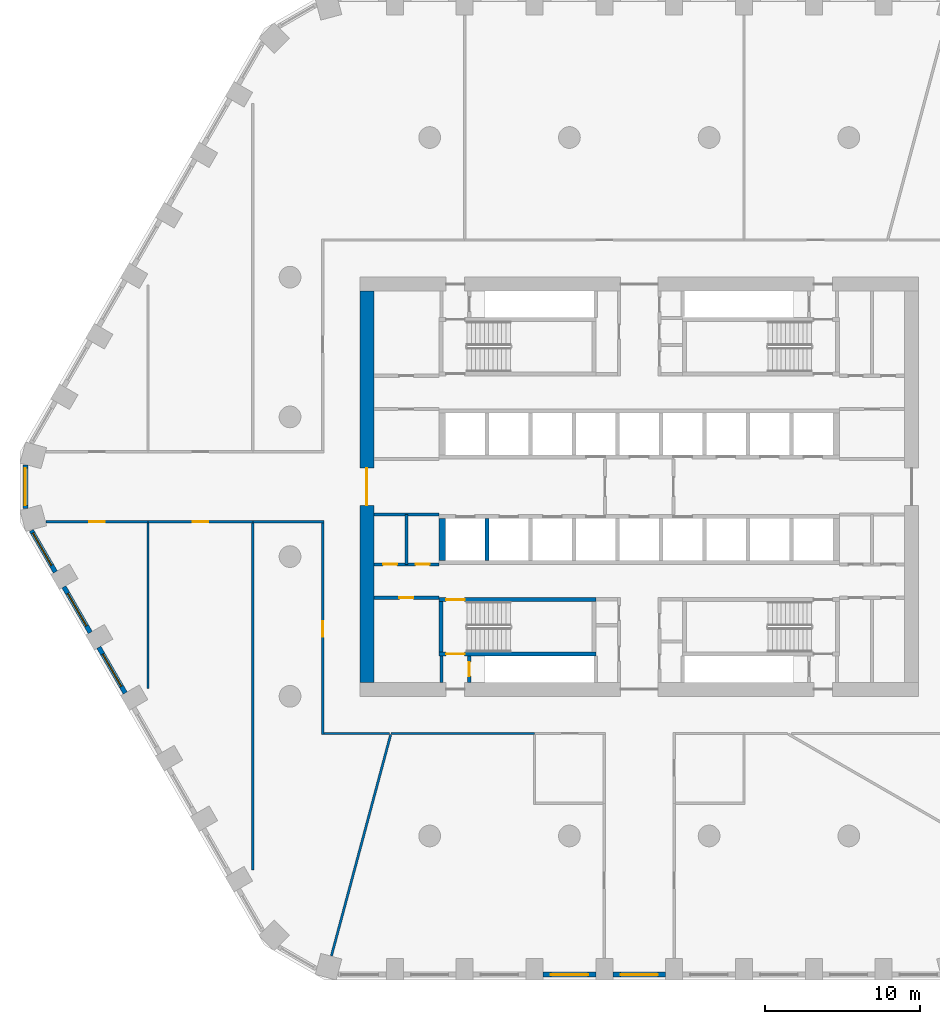
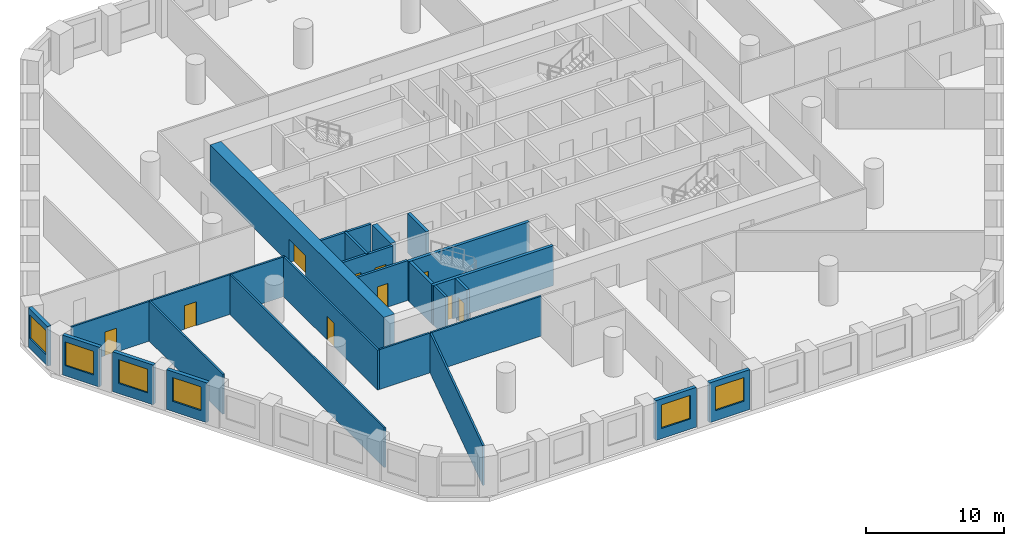
# One storey, part 2 of 10: 27 walls, 10 doors, 6 windows, 16 openings.
"""IFC4 building model written with IfcOpenShell, lengths in metres."""

from ifc_helpers import new_model, si_unit, direction, frame, frame_2d, origin, place, context, subcontext, project, spatial, polyline, rectangle, outline, extrude, material, layer, layer_set, type_object, element, fill, save


model = new_model("IFC4")

# Units and contexts
model_context = context("Model", 3, precision=1e-05, world=origin(), true_north=direction((0.0, 1.0)))
body_context = subcontext(model_context, "Body", "Model", "MODEL_VIEW")
ifc_project = project(units=[si_unit("LENGTHUNIT", "METRE"), si_unit("AREAUNIT", "SQUARE_METRE"), si_unit("VOLUMEUNIT", "CUBIC_METRE"), si_unit("PLANEANGLEUNIT", "RADIAN"), si_unit("MASSUNIT", "GRAM", prefix="KILO")], contexts=[model_context])

# Site, building, storey
site_placement = place(None, origin())
site = spatial("IfcSite", under=ifc_project, at=site_placement, CompositionType="ELEMENT")
building_placement = place(site_placement, origin())
building = spatial("IfcBuilding", under=site, at=building_placement, Name="Dhurran Vertical Campus", CompositionType="ELEMENT")
storey_placement = place(building_placement, frame((0.0, 0.0, 65.10009765625)))
storey = spatial("IfcBuildingStorey", under=building, at=storey_placement, Name="L15", CompositionType="ELEMENT", Elevation=65.10009765625)

# Wall, opening, window
ifc_material_1 = material(Name="Precast concrete C50/60", Category="concrete")
ifc_layer_1 = layer(ifc_material_1, 0.300048828125)
ifc_layer_set_1 = layer_set([ifc_layer_1], Name="Precast concrete C50/60")
wall_type_1 = type_object("IfcWallType", Name="Precast spandrel wall 300", PredefinedType="SOLIDWALL", material=ifc_layer_set_1)
wall_1_placement = place(storey_placement, frame((-6.199462890625, -31.4296875, 0.0), z_axis=(0.0, 0.0, 1.0), x_axis=(1.0, 0.0, 0.0)))
wall_1 = element("IfcWall", 1, at=wall_1_placement, inside=storey, type_object=wall_type_1, Name="EW1 L15.03", PredefinedType="SOLIDWALL", context=body_context, shape_type="SweptSolid", body=[
    extrude(rectangle(XDim=3.39892578125, YDim=0.300048828125, at=frame_2d((1.699462890625, 0.0))), origin(), (0.0, 0.0, 1.0), 3.52490234375),
])
opening_1_placement = place(wall_1_placement, frame((0.49951171875, 0.0, 0.89990234375)))
opening_1 = element("IfcOpeningElement", 2, at=opening_1_placement, cuts=wall_1, Name="Opening WT1", PredefinedType="OPENING", context=body_context, shape_type="SweptSolid", body=[
    extrude(rectangle(XDim=2.39990234375, YDim=2.10009765625, at=frame_2d((1.199951171875, 1.050048828125))), frame((0.0, 0.159912109375, 0.0), z_axis=(0.0, -1.0, 0.0), x_axis=(1.0, 0.0, 0.0)), (0.0, 0.0, 1.0), 0.320068359375),
])
ifc_material_2 = material(Name="Aluminium frame with solar-control glass", Category="aluminium")
window_type = type_object("IfcWindowType", Name="Punched window 2400 x 2100", PartitioningType="SINGLE_PANEL", PredefinedType="WINDOW", material=ifc_material_2)
window_1_placement = place(opening_1_placement, origin())
window_1 = element("IfcWindow", 3, at=window_1_placement, inside=storey, type_object=window_type, Name="WT1 L15.03", OverallHeight=2.10009765625, OverallWidth=2.39990234375, PartitioningType="SINGLE_PANEL", PredefinedType="WINDOW", context=body_context, shape_type="SweptSolid", body=[
    extrude(rectangle(XDim=2.39990234375, YDim=2.10009765625, at=frame_2d((1.199951171875, 1.050048828125))), frame((0.0, 0.030029296875, 0.0), z_axis=(0.0, -1.0, 0.0), x_axis=(1.0, 0.0, 0.0)), (0.0, 0.0, 1.0), 0.06005859375),
])
fill(opening_1, window_1)

wall_2_placement = place(storey_placement, frame((-1.699462890625, -31.4296875, 0.0), z_axis=(0.0, 0.0, 1.0), x_axis=(1.0, 0.0, 0.0)))
wall_2 = element("IfcWall", 4, at=wall_2_placement, inside=storey, type_object=wall_type_1, Name="EW1 L15.04", PredefinedType="SOLIDWALL", context=body_context, shape_type="SweptSolid", body=[
    extrude(rectangle(XDim=3.39892578125, YDim=0.300048828125, at=frame_2d((1.699462890625, 0.0))), origin(), (0.0, 0.0, 1.0), 3.52490234375),
])
opening_2_placement = place(wall_2_placement, frame((0.49951171875, 0.0, 0.89990234375)))
opening_2 = element("IfcOpeningElement", 5, at=opening_2_placement, cuts=wall_2, Name="Opening WT1", PredefinedType="OPENING", context=body_context, shape_type="SweptSolid", body=[
    extrude(rectangle(XDim=2.39990234375, YDim=2.10009765625, at=frame_2d((1.199951171875, 1.050048828125))), frame((0.0, 0.159912109375, 0.0), z_axis=(0.0, -1.0, 0.0), x_axis=(1.0, 0.0, 0.0)), (0.0, 0.0, 1.0), 0.320068359375),
])
window_2_placement = place(opening_2_placement, origin())
window_2 = element("IfcWindow", 6, at=window_2_placement, inside=storey, type_object=window_type, Name="WT1 L15.04", OverallHeight=2.10009765625, OverallWidth=2.39990234375, PartitioningType="SINGLE_PANEL", PredefinedType="WINDOW", context=body_context, shape_type="SweptSolid", body=[
    extrude(rectangle(XDim=2.39990234375, YDim=2.10009765625, at=frame_2d((1.199951171875, 1.050048828125))), frame((0.0, 0.030029296875, 0.0), z_axis=(0.0, -1.0, 0.0), x_axis=(1.0, 0.0, 0.0)), (0.0, 0.0, 1.0), 0.06005859375),
])
fill(opening_2, window_2)

wall_3_placement = place(storey_placement, frame((-39.547119140625, 1.39111328125, 0.0), z_axis=(0.0, 0.0, 1.0), x_axis=(0.0, -1.0, 0.0)))
wall_3 = element("IfcWall", 7, at=wall_3_placement, inside=storey, type_object=wall_type_1, Name="EW1 L15.43", PredefinedType="SOLIDWALL", context=body_context, shape_type="SweptSolid", body=[
    extrude(rectangle(XDim=2.7822265625, YDim=0.300048828125, at=frame_2d((1.39111328125, 0.0))), origin(), (0.0, 0.0, 1.0), 3.52490234375),
])
opening_3_placement = place(wall_3_placement, frame((0.191162109375, 0.0, 0.89990234375)))
opening_3 = element("IfcOpeningElement", 8, at=opening_3_placement, cuts=wall_3, Name="Opening WT1", PredefinedType="OPENING", context=body_context, shape_type="SweptSolid", body=[
    extrude(rectangle(XDim=2.39990234375, YDim=2.10009765625, at=frame_2d((1.199951171875, 1.050048828125))), frame((0.0, 0.159912109375, 0.0), z_axis=(0.0, -1.0, 0.0), x_axis=(1.0, 0.0, 0.0)), (0.0, 0.0, 1.0), 0.320068359375),
])
window_3_placement = place(opening_3_placement, origin())
window_3 = element("IfcWindow", 9, at=window_3_placement, inside=storey, type_object=window_type, Name="WT1 L15.43", OverallHeight=2.10009765625, OverallWidth=2.39990234375, PartitioningType="SINGLE_PANEL", PredefinedType="WINDOW", context=body_context, shape_type="SweptSolid", body=[
    extrude(rectangle(XDim=2.39990234375, YDim=2.10009765625, at=frame_2d((1.199951171875, 1.050048828125))), frame((0.0, 0.030029296875, 0.0), z_axis=(0.0, -1.0, 0.0), x_axis=(1.0, 0.0, 0.0)), (0.0, 0.0, 1.0), 0.06005859375),
])
fill(opening_3, window_3)

wall_4_placement = place(storey_placement, frame((-39.16455078125, -2.81884765625, 0.0), z_axis=(0.0, 0.0, 1.0), x_axis=(0.49997090907, -0.866042198789, 0.0)))
wall_4 = element("IfcWall", 10, at=wall_4_placement, inside=storey, type_object=wall_type_1, Name="EW1 L15.44", PredefinedType="SOLIDWALL", context=body_context, shape_type="SweptSolid", body=[
    extrude(rectangle(XDim=3.090576171875, YDim=0.300048828125, at=frame_2d((1.54541015625, 0.0))), origin(), (0.0, 0.0, 1.0), 3.52490234375),
])
opening_4_placement = place(wall_4_placement, frame((0.19091796875, 0.0, 0.89990234375)))
opening_4 = element("IfcOpeningElement", 11, at=opening_4_placement, cuts=wall_4, Name="Opening WT1", PredefinedType="OPENING", context=body_context, shape_type="SweptSolid", body=[
    extrude(rectangle(XDim=2.39990234375, YDim=2.10009765625, at=frame_2d((1.199951171875, 1.050048828125))), frame((0.0, 0.159912109375, 0.0), z_axis=(0.0, -1.0, 0.0), x_axis=(1.0, 0.0, 0.0)), (0.0, 0.0, 1.0), 0.320068359375),
])
window_4_placement = place(opening_4_placement, origin())
window_4 = element("IfcWindow", 12, at=window_4_placement, inside=storey, type_object=window_type, Name="WT1 L15.44", OverallHeight=2.10009765625, OverallWidth=2.39990234375, PartitioningType="SINGLE_PANEL", PredefinedType="WINDOW", context=body_context, shape_type="SweptSolid", body=[
    extrude(rectangle(XDim=2.39990234375, YDim=2.10009765625, at=frame_2d((1.199951171875, 1.050048828125))), frame((0.0, 0.030029296875, 0.0), z_axis=(0.0, -1.0, 0.0), x_axis=(1.0, 0.0, 0.0)), (0.0, 0.0, 1.0), 0.06005859375),
])
fill(opening_4, window_4)

wall_5_placement = place(storey_placement, frame((-37.06884765625, -6.448974609375, 0.0), z_axis=(0.0, 0.0, 1.0), x_axis=(0.499993955907, -0.866028893315, 0.0)))
wall_5 = element("IfcWall", 13, at=wall_5_placement, inside=storey, type_object=wall_type_1, Name="EW1 L15.45", PredefinedType="SOLIDWALL", context=body_context, shape_type="SweptSolid", body=[
    extrude(rectangle(XDim=3.39892578125, YDim=0.300048828125, at=frame_2d((1.699462890625, 0.0))), origin(), (0.0, 0.0, 1.0), 3.52490234375),
])
opening_5_placement = place(wall_5_placement, frame((0.49951171875, 0.0, 0.89990234375)))
opening_5 = element("IfcOpeningElement", 14, at=opening_5_placement, cuts=wall_5, Name="Opening WT1", PredefinedType="OPENING", context=body_context, shape_type="SweptSolid", body=[
    extrude(rectangle(XDim=2.39990234375, YDim=2.10009765625, at=frame_2d((1.199951171875, 1.050048828125))), frame((0.0, 0.159912109375, 0.0), z_axis=(0.0, -1.0, 0.0), x_axis=(1.0, 0.0, 0.0)), (0.0, 0.0, 1.0), 0.320068359375),
])
window_5_placement = place(opening_5_placement, origin())
window_5 = element("IfcWindow", 15, at=window_5_placement, inside=storey, type_object=window_type, Name="WT1 L15.45", OverallHeight=2.10009765625, OverallWidth=2.39990234375, PartitioningType="SINGLE_PANEL", PredefinedType="WINDOW", context=body_context, shape_type="SweptSolid", body=[
    extrude(rectangle(XDim=2.39990234375, YDim=2.10009765625, at=frame_2d((1.199951171875, 1.050048828125))), frame((0.0, 0.030029296875, 0.0), z_axis=(0.0, -1.0, 0.0), x_axis=(1.0, 0.0, 0.0)), (0.0, 0.0, 1.0), 0.06005859375),
])
fill(opening_5, window_5)

wall_6_placement = place(storey_placement, frame((-34.81884765625, -10.345947265625, 0.0), z_axis=(0.0, 0.0, 1.0), x_axis=(0.499993955907, -0.866028893315, 0.0)))
wall_6 = element("IfcWall", 16, at=wall_6_placement, inside=storey, type_object=wall_type_1, Name="EW1 L15.46", PredefinedType="SOLIDWALL", context=body_context, shape_type="SweptSolid", body=[
    extrude(rectangle(XDim=3.39892578125, YDim=0.300048828125, at=frame_2d((1.699462890625, 0.0))), origin(), (0.0, 0.0, 1.0), 3.52490234375),
])
opening_6_placement = place(wall_6_placement, frame((0.49951171875, 0.0, 0.89990234375)))
opening_6 = element("IfcOpeningElement", 17, at=opening_6_placement, cuts=wall_6, Name="Opening WT1", PredefinedType="OPENING", context=body_context, shape_type="SweptSolid", body=[
    extrude(rectangle(XDim=2.39990234375, YDim=2.10009765625, at=frame_2d((1.199951171875, 1.050048828125))), frame((0.0, 0.159912109375, 0.0), z_axis=(0.0, -1.0, 0.0), x_axis=(1.0, 0.0, 0.0)), (0.0, 0.0, 1.0), 0.320068359375),
])
window_6_placement = place(opening_6_placement, origin())
window_6 = element("IfcWindow", 18, at=window_6_placement, inside=storey, type_object=window_type, Name="WT1 L15.46", OverallHeight=2.10009765625, OverallWidth=2.39990234375, PartitioningType="SINGLE_PANEL", PredefinedType="WINDOW", context=body_context, shape_type="SweptSolid", body=[
    extrude(rectangle(XDim=2.39990234375, YDim=2.10009765625, at=frame_2d((1.199951171875, 1.050048828125))), frame((0.0, 0.030029296875, 0.0), z_axis=(0.0, -1.0, 0.0), x_axis=(1.0, 0.0, 0.0)), (0.0, 0.0, 1.0), 0.06005859375),
])
fill(opening_6, window_6)

# Wall, opening, door
ifc_material_3 = material(Name="Concrete C60/75", Category="concrete")
ifc_layer_2 = layer(ifc_material_3, 0.89990234375)
ifc_layer_set_2 = layer_set([ifc_layer_2], Name="Concrete C60/75")
wall_type_2 = type_object("IfcWallType", Name="co-CORE-WALL-C0-900", PredefinedType="SHEAR", material=ifc_layer_set_2)
wall_7_placement = place(storey_placement, frame((-17.550048828125, -12.60009765625, 0.0), z_axis=(0.0, 0.0, 1.0), x_axis=(0.0, 1.0, 0.0)))
wall_7 = element("IfcWall", 19, at=wall_7_placement, inside=storey, type_object=wall_type_2, Name="Core wall W L15", PredefinedType="SHEAR", context=body_context, shape_type="SweptSolid", body=[
    extrude(rectangle(XDim=25.2001953125, YDim=0.89990234375, at=frame_2d((12.60009765625, 0.0))), origin(), (0.0, 0.0, 1.0), 3.52490234375),
])
opening_7_placement = place(wall_7_placement, frame((11.39990234375, 0.0, 0.0)))
opening_7 = element("IfcOpeningElement", 20, at=opening_7_placement, cuts=wall_7, Name="Opening CL1", PredefinedType="OPENING", context=body_context, shape_type="SweptSolid", body=[
    extrude(rectangle(XDim=2.39990234375, YDim=2.10009765625, at=frame_2d((1.199951171875, 1.050048828125))), frame((0.0, 0.4599609375, 0.0), z_axis=(0.0, -1.0, 0.0), x_axis=(1.0, 0.0, 0.0)), (0.0, 0.0, 1.0), 0.919921875),
])
ifc_material_4 = material(Name="Fire-rated glazed door set")
door_type_1 = type_object("IfcDoorType", Name="co-D-LOBBY 2400x2100", OperationType="DOUBLE_DOOR_DOUBLE_SWING", PredefinedType="DOOR", material=ifc_material_4)
door_1_placement = place(opening_7_placement, origin())
door_1 = element("IfcDoor", 21, at=door_1_placement, inside=storey, type_object=door_type_1, Name="Lift lobby door W L15", OperationType="DOUBLE_DOOR_DOUBLE_SWING", OverallHeight=2.10009765625, OverallWidth=2.39990234375, PredefinedType="DOOR", context=body_context, shape_type="SweptSolid", body=[
    extrude(rectangle(XDim=2.39990234375, YDim=2.10009765625, at=frame_2d((1.199951171875, 1.050048828125))), frame((0.0, 0.02490234375, 0.0), z_axis=(0.0, -1.0, 0.0), x_axis=(1.0, 0.0, 0.0)), (0.0, 0.0, 1.0), 0.050048828125),
])
fill(opening_7, door_1)

# Wall
ifc_material_5 = material(Name="Fire-rated masonry blockwork", Category="masonry")
ifc_layer_3 = layer(ifc_material_5, 0.199951171875)
ifc_layer_set_3 = layer_set([ifc_layer_3], Name="Fire-rated masonry blockwork")
wall_type_3 = type_object("IfcWallType", Name="co-FIRE-PARTITION-200", PredefinedType="PARTITIONING", material=ifc_layer_set_3)
wall_8_placement = place(storey_placement, frame((-12.75, -12.60009765625, 0.0), z_axis=(0.0, 0.0, 1.0), x_axis=(0.0, 1.0, 0.0)))
element("IfcWall", 22, at=wall_8_placement, inside=storey, type_object=wall_type_3, Name="Core partition pass-ST3-o L15", PredefinedType="PARTITIONING", context=body_context, shape_type="SweptSolid", body=[
    extrude(rectangle(XDim=1.7001953125, YDim=0.199951171875, at=frame_2d((0.85009765625, 0.0))), origin(), (0.0, 0.0, 1.0), 3.52490234375),
])

# Wall, opening, door
wall_9_placement = place(storey_placement, frame((-10.949951171875, -12.60009765625, 0.0), z_axis=(0.0, 0.0, 1.0), x_axis=(0.0, 1.0, 0.0)))
wall_9 = element("IfcWall", 23, at=wall_9_placement, inside=storey, type_object=wall_type_3, Name="Core partition pass-ST3-i L15", PredefinedType="PARTITIONING", context=body_context, shape_type="SweptSolid", body=[
    extrude(rectangle(XDim=1.7001953125, YDim=0.199951171875, at=frame_2d((0.85009765625, 0.0))), origin(), (0.0, 0.0, 1.0), 3.52490234375),
])
opening_8_placement = place(wall_9_placement, frame((0.39990234375, 0.0, 0.0)))
opening_8 = element("IfcOpeningElement", 24, at=opening_8_placement, cuts=wall_9, Name="Opening T04-C11", PredefinedType="OPENING", context=body_context, shape_type="SweptSolid", body=[
    extrude(rectangle(XDim=0.89990234375, YDim=2.10009765625, at=frame_2d((0.449951171875, 1.050048828125))), frame((0.0, 0.10986328125, 0.0), z_axis=(0.0, -1.0, 0.0), x_axis=(1.0, 0.0, 0.0)), (0.0, 0.0, 1.0), 0.219970703125),
])
ifc_material_6 = material(Name="Fire-rated timber door set", Category="wood")
door_type_2 = type_object("IfcDoorType", Name="co-D-ROOM 900x2100", OperationType="SINGLE_SWING_LEFT", PredefinedType="DOOR", material=ifc_material_6)
door_2_placement = place(opening_8_placement, origin())
door_2 = element("IfcDoor", 25, at=door_2_placement, inside=storey, type_object=door_type_2, Name="Riser room door L15", OperationType="SINGLE_SWING_LEFT", OverallHeight=2.10009765625, OverallWidth=0.89990234375, PredefinedType="DOOR", context=body_context, shape_type="SweptSolid", body=[
    extrude(rectangle(XDim=0.89990234375, YDim=2.10009765625, at=frame_2d((0.449951171875, 1.050048828125))), frame((0.0, 0.02490234375, 0.0), z_axis=(0.0, -1.0, 0.0), x_axis=(1.0, 0.0, 0.0)), (0.0, 0.0, 1.0), 0.050048828125),
])
fill(opening_8, door_2)

wall_10_placement = place(storey_placement, frame((-17.10009765625, -7.14990234375, 0.0), z_axis=(0.0, 0.0, 1.0), x_axis=(1.0, 0.0, 0.0)))
wall_10 = element("IfcWall", 26, at=wall_10_placement, inside=storey, type_object=wall_type_3, Name="Core partition en-SW-w L15", PredefinedType="PARTITIONING", context=body_context, shape_type="SweptSolid", body=[
    extrude(rectangle(XDim=4.2001953125, YDim=0.199951171875, at=frame_2d((2.10009765625, 0.0))), origin(), (0.0, 0.0, 1.0), 3.52490234375),
])
opening_9_placement = place(wall_10_placement, frame((1.64990234375, 0.0, 0.0)))
opening_9 = element("IfcOpeningElement", 27, at=opening_9_placement, cuts=wall_10, Name="Opening T04-C18", PredefinedType="OPENING", context=body_context, shape_type="SweptSolid", body=[
    extrude(rectangle(XDim=0.89990234375, YDim=2.10009765625, at=frame_2d((0.449951171875, 1.050048828125))), frame((0.0, 0.10986328125, 0.0), z_axis=(0.0, -1.0, 0.0), x_axis=(1.0, 0.0, 0.0)), (0.0, 0.0, 1.0), 0.219970703125),
])
door_3_placement = place(opening_9_placement, origin())
door_3 = element("IfcDoor", 28, at=door_3_placement, inside=storey, type_object=door_type_2, Name="Cleaner's store door L15", OperationType="SINGLE_SWING_LEFT", OverallHeight=2.10009765625, OverallWidth=0.89990234375, PredefinedType="DOOR", context=body_context, shape_type="SweptSolid", body=[
    extrude(rectangle(XDim=0.89990234375, YDim=2.10009765625, at=frame_2d((0.449951171875, 1.050048828125))), frame((0.0, 0.02490234375, 0.0), z_axis=(0.0, -1.0, 0.0), x_axis=(1.0, 0.0, 0.0)), (0.0, 0.0, 1.0), 0.050048828125),
])
fill(opening_9, door_3)

# Wall
wall_11_placement = place(storey_placement, frame((-15.0, -5.0, 0.0), z_axis=(0.0, 0.0, 1.0), x_axis=(0.0, 1.0, 0.0)))
element("IfcWall", 29, at=wall_11_placement, inside=storey, type_object=wall_type_3, Name="Core partition es-SW-cut0 L15", PredefinedType="PARTITIONING", context=body_context, shape_type="SweptSolid", body=[
    extrude(rectangle(XDim=3.199951171875, YDim=0.199951171875, at=frame_2d((1.60009765625, 0.0))), origin(), (0.0, 0.0, 1.0), 3.52490234375),
])

# Wall, openings, doors
wall_12_placement = place(storey_placement, frame((-17.10009765625, -5.0, 0.0), z_axis=(0.0, 0.0, 1.0), x_axis=(1.0, 0.0, 0.0)))
wall_12 = element("IfcWall", 30, at=wall_12_placement, inside=storey, type_object=wall_type_3, Name="Core partition es-SW-w L15", PredefinedType="PARTITIONING", context=body_context, shape_type="SweptSolid", body=[
    extrude(rectangle(XDim=4.2001953125, YDim=0.199951171875, at=frame_2d((2.10009765625, 0.0))), origin(), (0.0, 0.0, 1.0), 3.52490234375),
])
opening_10_placement = place(wall_12_placement, frame((0.60009765625, 0.0, 0.0)))
opening_10 = element("IfcOpeningElement", 31, at=opening_10_placement, cuts=wall_12, Name="Opening T04-C19", PredefinedType="OPENING", context=body_context, shape_type="SweptSolid", body=[
    extrude(rectangle(XDim=0.89990234375, YDim=2.10009765625, at=frame_2d((0.449951171875, 1.050048828125))), frame((0.0, 0.10986328125, 0.0), z_axis=(0.0, -1.0, 0.0), x_axis=(1.0, 0.0, 0.0)), (0.0, 0.0, 1.0), 0.219970703125),
])
opening_11_placement = place(wall_12_placement, frame((2.699951171875, 0.0, 0.0)))
opening_11 = element("IfcOpeningElement", 32, at=opening_11_placement, cuts=wall_12, Name="Opening T04-C20", PredefinedType="OPENING", context=body_context, shape_type="SweptSolid", body=[
    extrude(rectangle(XDim=0.89990234375, YDim=2.10009765625, at=frame_2d((0.449951171875, 1.050048828125))), frame((0.0, 0.10986328125, 0.0), z_axis=(0.0, -1.0, 0.0), x_axis=(1.0, 0.0, 0.0)), (0.0, 0.0, 1.0), 0.219970703125),
])
door_4_placement = place(opening_10_placement, origin())
door_4 = element("IfcDoor", 33, at=door_4_placement, inside=storey, type_object=door_type_2, Name="Pantry door L15", OperationType="SINGLE_SWING_LEFT", OverallHeight=2.10009765625, OverallWidth=0.89990234375, PredefinedType="DOOR", context=body_context, shape_type="SweptSolid", body=[
    extrude(rectangle(XDim=0.89990234375, YDim=2.10009765625, at=frame_2d((0.449951171875, 1.050048828125))), frame((0.0, 0.02490234375, 0.0), z_axis=(0.0, -1.0, 0.0), x_axis=(1.0, 0.0, 0.0)), (0.0, 0.0, 1.0), 0.050048828125),
])
fill(opening_10, door_4)
door_5_placement = place(opening_11_placement, origin())
door_5 = element("IfcDoor", 34, at=door_5_placement, inside=storey, type_object=door_type_2, Name="Water riser door L15", OperationType="SINGLE_SWING_LEFT", OverallHeight=2.10009765625, OverallWidth=0.89990234375, PredefinedType="DOOR", context=body_context, shape_type="SweptSolid", body=[
    extrude(rectangle(XDim=0.89990234375, YDim=2.10009765625, at=frame_2d((0.449951171875, 1.050048828125))), frame((0.0, 0.02490234375, 0.0), z_axis=(0.0, -1.0, 0.0), x_axis=(1.0, 0.0, 0.0)), (0.0, 0.0, 1.0), 0.050048828125),
])
fill(opening_11, door_5)

# Walls
wall_13_placement = place(storey_placement, frame((-17.10009765625, -1.800048828125, 0.0), z_axis=(0.0, 0.0, 1.0), x_axis=(1.0, 0.0, 0.0)))
element("IfcWall", 35, at=wall_13_placement, inside=storey, type_object=wall_type_3, Name="Core partition es-SW-l L15", PredefinedType="PARTITIONING", context=body_context, shape_type="SweptSolid", body=[
    extrude(rectangle(XDim=4.2001953125, YDim=0.199951171875, at=frame_2d((2.10009765625, 0.0))), origin(), (0.0, 0.0, 1.0), 3.52490234375),
])
ifc_material_7 = material(Name="Concrete C50/60", Category="concrete")
ifc_layer_4 = layer(ifc_material_7, 0.25)
ifc_layer_set_4 = layer_set([ifc_layer_4], Name="Concrete C50/60")
wall_type_4 = type_object("IfcWallType", Name="co-SHAFT-MASS-250", PredefinedType="SHEAR", material=ifc_layer_set_4)
wall_14_placement = place(storey_placement, origin())
element("IfcWall", 36, at=wall_14_placement, inside=storey, type_object=wall_type_4, Name="Lift shaft wall S L15 2", PredefinedType="SHEAR", context=body_context, shape_type="SweptSolid", body=[
    extrude(outline(polyline([(-12.89990234375, -4.75), (-12.47509765625, -4.75), (-12.47509765625, -2.050048828125), (-12.89990234375, -2.050048828125), (-12.89990234375, -4.75)])), origin(), (0.0, 0.0, 1.0), 3.52490234375),
])
wall_15_placement = place(storey_placement, origin())
element("IfcWall", 37, at=wall_15_placement, inside=storey, type_object=wall_type_4, Name="Lift shaft wall S L15 3", PredefinedType="SHEAR", context=body_context, shape_type="SweptSolid", body=[
    extrude(outline(polyline([(-9.925048828125, -4.75), (-9.675048828125, -4.75), (-9.675048828125, -2.050048828125), (-9.925048828125, -2.050048828125), (-9.925048828125, -4.75)])), origin(), (0.0, 0.0, 1.0), 3.52490234375),
])

# Wall, opening, door
ifc_material_8 = material(Name="Concrete C40/50", Category="concrete")
ifc_layer_5 = layer(ifc_material_8, 0.25)
ifc_layer_set_5 = layer_set([ifc_layer_5], Name="Concrete C40/50")
wall_type_5 = type_object("IfcWallType", Name="co-STAIR-WALL-250", PredefinedType="SHEAR", material=ifc_layer_set_5)
wall_16_placement = place(storey_placement, frame((-12.89990234375, -10.77490234375, 0.0), z_axis=(0.0, 0.0, 1.0), x_axis=(1.0, 0.0, 0.0)))
wall_16 = element("IfcWall", 38, at=wall_16_placement, inside=storey, type_object=wall_type_5, Name="Stair ST3 enclosure wall L15", PredefinedType="SHEAR", context=body_context, shape_type="SweptSolid", body=[
    extrude(rectangle(XDim=10.099853515625, YDim=0.25, at=frame_2d((5.0498046875, 0.0))), origin(), (0.0, 0.0, 1.0), 3.52490234375),
])
opening_12_placement = place(wall_16_placement, frame((0.449951171875, 0.0, 0.0)))
opening_12 = element("IfcOpeningElement", 39, at=opening_12_placement, cuts=wall_16, Name="Opening XS3", PredefinedType="OPENING", context=body_context, shape_type="SweptSolid", body=[
    extrude(rectangle(XDim=1.199951171875, YDim=2.10009765625, at=frame_2d((0.60009765625, 1.050048828125))), frame((0.0, 0.135009765625, 0.0), z_axis=(0.0, -1.0, 0.0), x_axis=(1.0, 0.0, 0.0)), (0.0, 0.0, 1.0), 0.27001953125),
])
ifc_material_9 = material(Name="Fire-rated steel door set", Category="steel")
door_type_3 = type_object("IfcDoorType", Name="co-D-STAIR-EXIT 1200x2100", OperationType="SINGLE_SWING_RIGHT", PredefinedType="DOOR", material=ifc_material_9)
door_6_placement = place(opening_12_placement, origin())
door_6 = element("IfcDoor", 40, at=door_6_placement, inside=storey, type_object=door_type_3, Name="Stair ST3 discharge door L15", OperationType="SINGLE_SWING_RIGHT", OverallHeight=2.10009765625, OverallWidth=1.199951171875, PredefinedType="DOOR", context=body_context, shape_type="SweptSolid", body=[
    extrude(rectangle(XDim=1.199951171875, YDim=2.10009765625, at=frame_2d((0.60009765625, 1.050048828125))), frame((0.0, 0.02490234375, 0.0), z_axis=(0.0, -1.0, 0.0), x_axis=(1.0, 0.0, 0.0)), (0.0, 0.0, 1.0), 0.050048828125),
])
fill(opening_12, door_6)

wall_17_placement = place(storey_placement, frame((-12.89990234375, -7.27490234375, 0.0), z_axis=(0.0, 0.0, 1.0), x_axis=(1.0, 0.0, 0.0)))
wall_17 = element("IfcWall", 41, at=wall_17_placement, inside=storey, type_object=wall_type_5, Name="Stair ST3 enclosure wall L15", PredefinedType="SHEAR", context=body_context, shape_type="SweptSolid", body=[
    extrude(rectangle(XDim=10.099853515625, YDim=0.25, at=frame_2d((5.0498046875, 0.0))), origin(), (0.0, 0.0, 1.0), 3.52490234375),
])
opening_13_placement = place(wall_17_placement, frame((0.449951171875, 0.0, 0.0)))
opening_13 = element("IfcOpeningElement", 42, at=opening_13_placement, cuts=wall_17, Name="Opening SD3", PredefinedType="OPENING", context=body_context, shape_type="SweptSolid", body=[
    extrude(rectangle(XDim=1.199951171875, YDim=2.10009765625, at=frame_2d((0.60009765625, 1.050048828125))), frame((0.0, 0.135009765625, 0.0), z_axis=(0.0, -1.0, 0.0), x_axis=(1.0, 0.0, 0.0)), (0.0, 0.0, 1.0), 0.27001953125),
])
ifc_material_10 = material(Name="Fire-rated steel door set", Category="steel")
door_type_4 = type_object("IfcDoorType", Name="co-D-STAIR 1200x2100", OperationType="SINGLE_SWING_LEFT", PredefinedType="DOOR", material=ifc_material_10)
door_7_placement = place(opening_13_placement, origin())
door_7 = element("IfcDoor", 43, at=door_7_placement, inside=storey, type_object=door_type_4, Name="Stair ST3 door L15", OperationType="SINGLE_SWING_LEFT", OverallHeight=2.10009765625, OverallWidth=1.199951171875, PredefinedType="DOOR", context=body_context, shape_type="SweptSolid", body=[
    extrude(rectangle(XDim=1.199951171875, YDim=2.10009765625, at=frame_2d((0.60009765625, 1.050048828125))), frame((0.0, 0.02490234375, 0.0), z_axis=(0.0, -1.0, 0.0), x_axis=(1.0, 0.0, 0.0)), (0.0, 0.0, 1.0), 0.050048828125),
])
fill(opening_13, door_7)

# Wall
wall_18_placement = place(storey_placement, frame((-12.77490234375, -10.64990234375, 0.0), z_axis=(0.0, 0.0, 1.0), x_axis=(0.0, 1.0, 0.0)))
element("IfcWall", 44, at=wall_18_placement, inside=storey, type_object=wall_type_5, Name="Stair ST3 enclosure wall L15", PredefinedType="SHEAR", context=body_context, shape_type="SweptSolid", body=[
    extrude(rectangle(XDim=3.25, YDim=0.25, at=frame_2d((1.625, 0.0))), origin(), (0.0, 0.0, 1.0), 3.52490234375),
])

# Wall, opening, door
ifc_material_11 = material(Name="Gypsum board corridor wall on steel studs", Category="steel")
ifc_layer_6 = layer(ifc_material_11, 0.14990234375)
ifc_layer_set_6 = layer_set([ifc_layer_6], Name="Gypsum board corridor wall on steel studs")
wall_type_6 = type_object("IfcWallType", Name="fl-CW-150 corridor wall", PredefinedType="PARTITIONING", material=ifc_layer_set_6)
wall_19_placement = place(storey_placement, frame((-31.64990234375, -2.25, 0.0), z_axis=(0.0, 0.0, 1.0), x_axis=(-1.0, 0.0, 0.0)))
wall_19 = element("IfcWall", 45, at=wall_19_placement, inside=storey, type_object=wall_type_6, Name="Partition 15-01", PredefinedType="PARTITIONING", context=body_context, shape_type="SweptSolid", body=[
    extrude(rectangle(XDim=6.5830078125, YDim=0.14990234375, at=frame_2d((3.29150390625, 0.0))), origin(), (0.0, 0.0, 1.0), 3.52490234375),
])
opening_14_placement = place(wall_19_placement, frame((2.79150390625, 0.0, 0.0)))
opening_14 = element("IfcOpeningElement", 46, at=opening_14_placement, cuts=wall_19, Name="Opening T04.01", PredefinedType="OPENING", context=body_context, shape_type="SweptSolid", body=[
    extrude(rectangle(XDim=1.0, YDim=2.10009765625, at=frame_2d((0.5, 1.050048828125))), frame((0.0, 0.0849609375, 0.0), z_axis=(0.0, -1.0, 0.0), x_axis=(1.0, 0.0, 0.0)), (0.0, 0.0, 1.0), 0.169921875),
])
ifc_material_12 = material(Name="Solid-core timber door set, fire-rated", Category="wood")
door_type_5 = type_object("IfcDoorType", Name="fl-D-1000x2100", OperationType="SINGLE_SWING_LEFT", PredefinedType="DOOR", material=ifc_material_12)
door_8_placement = place(opening_14_placement, origin())
door_8 = element("IfcDoor", 47, at=door_8_placement, inside=storey, type_object=door_type_5, Name="Door 15.01", OperationType="SINGLE_SWING_LEFT", OverallHeight=2.10009765625, OverallWidth=1.0, PredefinedType="DOOR", context=body_context, shape_type="SweptSolid", body=[
    extrude(rectangle(XDim=1.0, YDim=2.10009765625, at=frame_2d((0.5, 1.050048828125))), frame((0.0, 0.02490234375, 0.0), z_axis=(0.0, -1.0, 0.0), x_axis=(1.0, 0.0, 0.0)), (0.0, 0.0, 1.0), 0.050048828125),
])
fill(opening_14, door_8)

wall_20_placement = place(storey_placement, frame((-24.89990234375, -2.25, 0.0), z_axis=(0.0, 0.0, 1.0), x_axis=(-1.0, 0.0, 0.0)))
wall_20 = element("IfcWall", 48, at=wall_20_placement, inside=storey, type_object=wall_type_6, Name="Partition 15-04", PredefinedType="PARTITIONING", context=body_context, shape_type="SweptSolid", body=[
    extrude(rectangle(XDim=6.75, YDim=0.14990234375, at=frame_2d((3.375, 0.0))), origin(), (0.0, 0.0, 1.0), 3.52490234375),
])
opening_15_placement = place(wall_20_placement, frame((2.875, 0.0, 0.0)))
opening_15 = element("IfcOpeningElement", 49, at=opening_15_placement, cuts=wall_20, Name="Opening T04.03", PredefinedType="OPENING", context=body_context, shape_type="SweptSolid", body=[
    extrude(rectangle(XDim=1.0, YDim=2.10009765625, at=frame_2d((0.5, 1.050048828125))), frame((0.0, 0.0849609375, 0.0), z_axis=(0.0, -1.0, 0.0), x_axis=(1.0, 0.0, 0.0)), (0.0, 0.0, 1.0), 0.169921875),
])
door_9_placement = place(opening_15_placement, origin())
door_9 = element("IfcDoor", 50, at=door_9_placement, inside=storey, type_object=door_type_5, Name="Door 15.03", OperationType="SINGLE_SWING_LEFT", OverallHeight=2.10009765625, OverallWidth=1.0, PredefinedType="DOOR", context=body_context, shape_type="SweptSolid", body=[
    extrude(rectangle(XDim=1.0, YDim=2.10009765625, at=frame_2d((0.5, 1.050048828125))), frame((0.0, 0.02490234375, 0.0), z_axis=(0.0, -1.0, 0.0), x_axis=(1.0, 0.0, 0.0)), (0.0, 0.0, 1.0), 0.050048828125),
])
fill(opening_15, door_9)

# Wall
wall_21_placement = place(storey_placement, frame((-20.324951171875, -2.25, 0.0), z_axis=(0.0, 0.0, 1.0), x_axis=(-1.0, 0.0, 0.0)))
element("IfcWall", 51, at=wall_21_placement, inside=storey, type_object=wall_type_6, Name="Partition 15-08", PredefinedType="PARTITIONING", context=body_context, shape_type="SweptSolid", body=[
    extrude(rectangle(XDim=4.574951171875, YDim=0.14990234375, at=frame_2d((2.28759765625, 0.0))), origin(), (0.0, 0.0, 1.0), 3.52490234375),
])

# Wall, opening, door
wall_22_placement = place(storey_placement, frame((-20.39990234375, -2.324951171875, 0.0), z_axis=(0.0, 0.0, 1.0), x_axis=(0.0, -1.0, 0.0)))
wall_22 = element("IfcWall", 52, at=wall_22_placement, inside=storey, type_object=wall_type_6, Name="Partition 15-11", PredefinedType="PARTITIONING", context=body_context, shape_type="SweptSolid", body=[
    extrude(rectangle(XDim=13.650146484375, YDim=0.14990234375, at=frame_2d((6.8251953125, 0.0))), origin(), (0.0, 0.0, 1.0), 3.52490234375),
])
opening_16_placement = place(wall_22_placement, frame((6.324951171875, 0.0, 0.0)))
opening_16 = element("IfcOpeningElement", 53, at=opening_16_placement, cuts=wall_22, Name="Opening T04.05", PredefinedType="OPENING", context=body_context, shape_type="SweptSolid", body=[
    extrude(rectangle(XDim=1.0, YDim=2.10009765625, at=frame_2d((0.5, 1.050048828125))), frame((0.0, 0.0849609375, 0.0), z_axis=(0.0, -1.0, 0.0), x_axis=(1.0, 0.0, 0.0)), (0.0, 0.0, 1.0), 0.169921875),
])
door_10_placement = place(opening_16_placement, origin())
door_10 = element("IfcDoor", 54, at=door_10_placement, inside=storey, type_object=door_type_5, Name="Door 15.05", OperationType="SINGLE_SWING_RIGHT", OverallHeight=2.10009765625, OverallWidth=1.0, PredefinedType="DOOR", context=body_context, shape_type="SweptSolid", body=[
    extrude(rectangle(XDim=1.0, YDim=2.10009765625, at=frame_2d((0.5, 1.050048828125))), frame((0.0, 0.02490234375, 0.0), z_axis=(0.0, -1.0, 0.0), x_axis=(1.0, 0.0, 0.0)), (0.0, 0.0, 1.0), 0.050048828125),
])
fill(opening_16, door_10)

# Walls
wall_23_placement = place(storey_placement, frame((-20.324951171875, -15.89990234375, 0.0), z_axis=(0.0, 0.0, 1.0), x_axis=(1.0, 0.0, 0.0)))
element("IfcWall", 55, at=wall_23_placement, inside=storey, type_object=wall_type_6, Name="Partition 15-12", PredefinedType="PARTITIONING", context=body_context, shape_type="SweptSolid", body=[
    extrude(rectangle(XDim=4.23486328125, YDim=0.14990234375, at=frame_2d((2.117431640625, 0.0))), origin(), (0.0, 0.0, 1.0), 3.52490234375),
])
wall_24_placement = place(storey_placement, frame((-15.9951171875, -15.89990234375, 0.0), z_axis=(0.0, 0.0, 1.0), x_axis=(1.0, 0.0, 0.0)))
element("IfcWall", 56, at=wall_24_placement, inside=storey, type_object=wall_type_6, Name="Partition 15-16", PredefinedType="PARTITIONING", context=body_context, shape_type="SweptSolid", body=[
    extrude(rectangle(XDim=9.2451171875, YDim=0.14990234375, at=frame_2d((4.62255859375, 0.0))), origin(), (0.0, 0.0, 1.0), 3.52490234375),
])
ifc_material_13 = material(Name="Gypsum board partition on steel studs", Category="steel")
ifc_layer_7 = layer(ifc_material_13, 0.14990234375)
ifc_layer_set_7 = layer_set([ifc_layer_7], Name="Gypsum board partition on steel studs")
wall_type_7 = type_object("IfcWallType", Name="fl-PW-150 fixed partition", PredefinedType="PARTITIONING", material=ifc_layer_set_7)
wall_25_placement = place(storey_placement, frame((-31.64990234375, -2.324951171875, 0.0), z_axis=(0.0, 0.0, 1.0), x_axis=(0.0, -1.0, 0.0)))
element("IfcWall", 57, at=wall_25_placement, inside=storey, type_object=wall_type_7, Name="Partition 15-03", PredefinedType="PARTITIONING", context=body_context, shape_type="SweptSolid", body=[
    extrude(rectangle(XDim=10.677001953125, YDim=0.14990234375, at=frame_2d((5.33837890625, 0.0))), origin(), (0.0, 0.0, 1.0), 3.52490234375),
])
wall_26_placement = place(storey_placement, frame((-24.89990234375, -2.324951171875, 0.0), z_axis=(0.0, 0.0, 1.0), x_axis=(0.0, -1.0, 0.0)))
element("IfcWall", 58, at=wall_26_placement, inside=storey, type_object=wall_type_7, Name="Partition 15-07", PredefinedType="PARTITIONING", context=body_context, shape_type="SweptSolid", body=[
    extrude(rectangle(XDim=22.3681640625, YDim=0.14990234375, at=frame_2d((11.18408203125, 0.0))), origin(), (0.0, 0.0, 1.0), 3.52490234375),
])
wall_27_placement = place(storey_placement, frame((-16.014404296875, -15.972412109375, 0.0), z_axis=(0.0, 0.0, 1.0), x_axis=(-0.258838346818, -0.965920654203, 0.0)))
element("IfcWall", 59, at=wall_27_placement, inside=storey, type_object=wall_type_7, Name="Partition 15-15", PredefinedType="PARTITIONING", context=body_context, shape_type="SweptSolid", body=[
    extrude(rectangle(XDim=14.757568359375, YDim=0.14990234375, at=frame_2d((7.37890625, 0.0))), origin(), (0.0, 0.0, 1.0), 3.52490234375),
])

save(model, "model.ifc")
